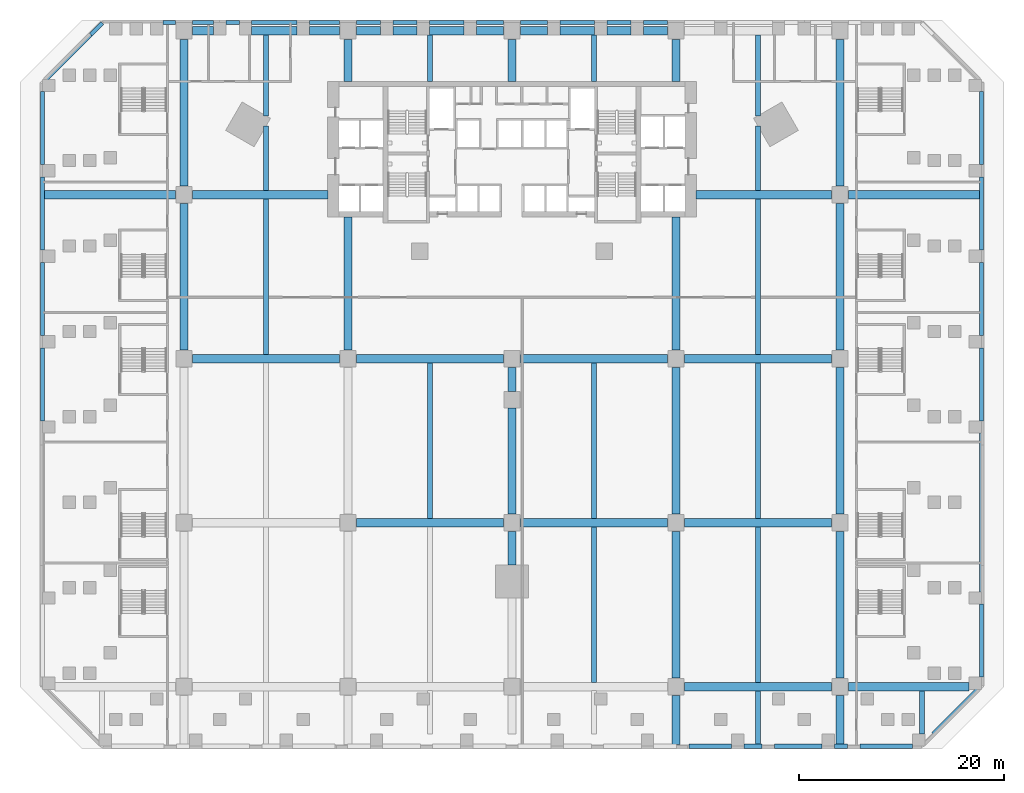
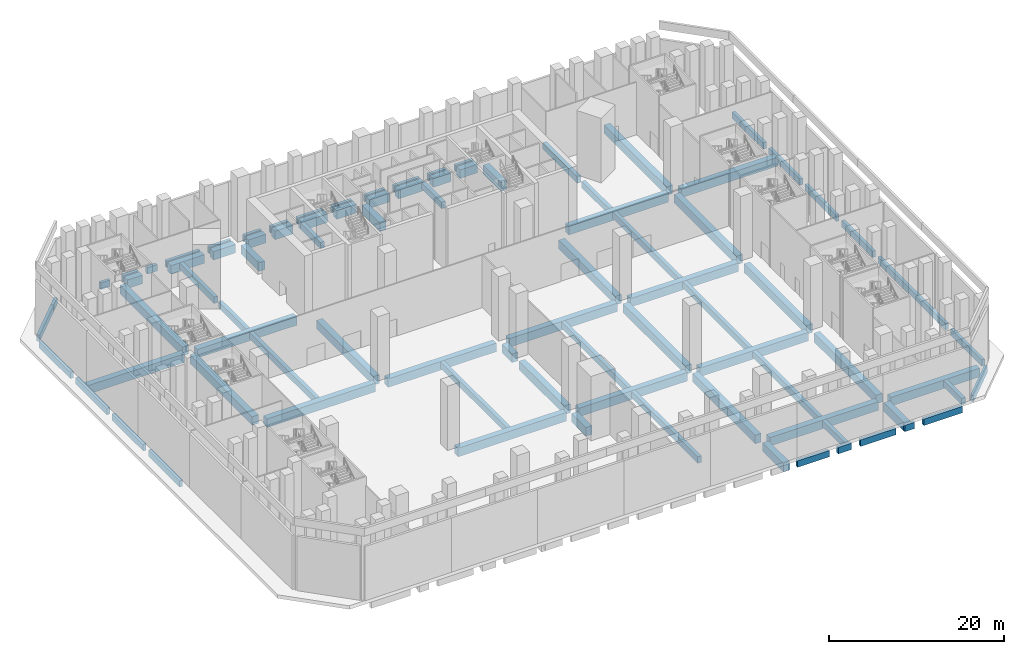
# One storey, part 2 of 25: 88 beams.
"""IFC4 building model written with IfcOpenShell, lengths in metres."""

from ifc_helpers import new_model, si_unit, direction, frame, origin, origin_2d, place, context, subcontext, project, spatial, rectangle, extrude, material, material_profile, profile_set, type_object, element, save


model = new_model("IFC4")

# Units and contexts
model_context = context("Model", 3, precision=1e-05, world=origin(), true_north=direction((0.0, 1.0)))
body_context = subcontext(model_context, "Body", "Model", "MODEL_VIEW")
ifc_project = project(units=[si_unit("LENGTHUNIT", "METRE"), si_unit("AREAUNIT", "SQUARE_METRE"), si_unit("VOLUMEUNIT", "CUBIC_METRE"), si_unit("PLANEANGLEUNIT", "RADIAN"), si_unit("MASSUNIT", "GRAM", prefix="KILO")], contexts=[model_context])

# Site, building, storey
site_placement = place(None, origin())
site = spatial("IfcSite", under=ifc_project, at=site_placement, CompositionType="ELEMENT")
building_placement = place(site_placement, origin())
building = spatial("IfcBuilding", under=site, at=building_placement, Name="Calabash Gate Tower", CompositionType="ELEMENT")
storey_placement = place(building_placement, frame((0.0, 0.0, 20.0)))
storey = spatial("IfcBuildingStorey", under=building, at=storey_placement, Name="L02", CompositionType="ELEMENT", Elevation=20.0)

# Beams
ifc_material_1 = material(Name="Concrete C50/60", Category="concrete")
ifc_material_profile_1 = material_profile(ifc_material_1, rectangle(XDim=0.39990234375, YDim=0.89990234375, at=origin_2d()))
ifc_profile_set_1 = profile_set([ifc_material_profile_1], Name="Concrete C50/60")
beam_type_1 = type_object("IfcBeamType", Name="Edge beam RC 400x900 Concrete C50/60", PredefinedType="BEAM", material=ifc_profile_set_1)
for number, where, z_axis, x_axis, name in (
    (1, (-45.800048828125, -14.06689453125, -0.949951171875), (0.0, 1.0, 0.0), (-1.0, 0.0, 0.0), "Edge beam L02 4"),
    (2, (-45.800048828125, -5.73291015625, -0.949951171875), (0.0, 1.0, 0.0), (-1.0, 0.0, 0.0), "Edge beam L02 5"),
):
    element("IfcBeam", number, at=place(storey_placement, frame(where, z_axis=z_axis, x_axis=x_axis)), inside=storey, type_object=beam_type_1, Name=name, PredefinedType="BEAM", context=body_context, shape_type="SweptSolid", body=[
        extrude(rectangle(XDim=0.39990234375, YDim=0.89990234375, at=origin_2d()), origin(), (0.0, 0.0, 1.0), 7.1337890625),
    ])
beam_1_placement = place(storey_placement, frame((-45.800048828125, 2.60107421875, -0.949951171875), z_axis=(0.0, 1.0, 0.0), x_axis=(-1.0, 0.0, 0.0)))
element("IfcBeam", 3, at=beam_1_placement, inside=storey, type_object=beam_type_1, Name="Edge beam L02 6", PredefinedType="BEAM", context=body_context, shape_type="SweptSolid", body=[
    extrude(rectangle(XDim=0.39990234375, YDim=0.89990234375, at=origin_2d()), origin(), (0.0, 0.0, 1.0), 7.135986328125),
])
beam_2_placement = place(storey_placement, frame((-45.800048828125, 10.93701171875, -0.949951171875), z_axis=(0.0, 1.0, 0.0), x_axis=(-1.0, 0.0, 0.0)))
element("IfcBeam", 4, at=beam_2_placement, inside=storey, type_object=beam_type_1, Name="Edge beam L02 7", PredefinedType="BEAM", context=body_context, shape_type="SweptSolid", body=[
    extrude(rectangle(XDim=0.39990234375, YDim=0.89990234375, at=origin_2d()), origin(), (0.0, 0.0, 1.0), 7.132080078125),
])
beam_3_placement = place(storey_placement, frame((-45.464111328125, 19.2529296875, -0.949951171875), z_axis=(0.707185774291, 0.707027779257, 0.0), x_axis=(-0.707027779257, 0.707185774291, 0.0)))
element("IfcBeam", 5, at=beam_3_placement, inside=storey, type_object=beam_type_1, Name="Edge beam L02 8", PredefinedType="BEAM", context=body_context, shape_type="SweptSolid", body=[
    extrude(rectangle(XDim=0.39990234375, YDim=0.89990234375, at=origin_2d()), origin(), (0.0, 0.0, 1.0), 6.180908203125),
])
beam_4_placement = place(storey_placement, frame((-41.091064453125, 23.6259765625, -0.949951171875), z_axis=(0.707106781187, 0.707106781187, 0.0), x_axis=(-0.707106781187, 0.707106781187, 0.0)))
element("IfcBeam", 6, at=beam_4_placement, inside=storey, type_object=beam_type_1, Name="Edge beam L02 9", PredefinedType="BEAM", context=body_context, shape_type="SweptSolid", body=[
    extrude(rectangle(XDim=0.39990234375, YDim=0.89990234375, at=origin_2d()), origin(), (0.0, 0.0, 1.0), 1.575439453125),
])
beam_5_placement = place(storey_placement, frame((-34.069091796875, 24.800048828125, -0.949951171875), z_axis=(1.0, 0.0, 0.0), x_axis=(0.0, 1.0, 0.0)))
element("IfcBeam", 7, at=beam_5_placement, inside=storey, type_object=beam_type_1, Name="Edge beam L02 10", PredefinedType="BEAM", context=body_context, shape_type="SweptSolid", body=[
    extrude(rectangle(XDim=0.39990234375, YDim=0.89990234375, at=origin_2d()), origin(), (0.0, 0.0, 1.0), 1.218994140625),
])
beam_6_placement = place(storey_placement, frame((-31.14990234375, 24.800048828125, -0.949951171875), z_axis=(1.0, 0.0, 0.0), x_axis=(0.0, 1.0, 0.0)))
element("IfcBeam", 8, at=beam_6_placement, inside=storey, type_object=beam_type_1, Name="Edge beam L02 11", PredefinedType="BEAM", context=body_context, shape_type="SweptSolid", body=[
    extrude(rectangle(XDim=0.39990234375, YDim=0.89990234375, at=origin_2d()), origin(), (0.0, 0.0, 1.0), 2.02978515625),
])
beam_7_placement = place(storey_placement, frame((-27.919921875, 24.800048828125, -0.949951171875), z_axis=(1.0, 0.0, 0.0), x_axis=(0.0, 1.0, 0.0)))
element("IfcBeam", 9, at=beam_7_placement, inside=storey, type_object=beam_type_1, Name="Edge beam L02 12", PredefinedType="BEAM", context=body_context, shape_type="SweptSolid", body=[
    extrude(rectangle(XDim=0.39990234375, YDim=0.89990234375, at=origin_2d()), origin(), (0.0, 0.0, 1.0), 1.31787109375),
])
beam_8_placement = place(storey_placement, frame((-25.40087890625, 24.800048828125, -0.949951171875), z_axis=(1.0, 0.0, 0.0), x_axis=(0.0, 1.0, 0.0)))
element("IfcBeam", 10, at=beam_8_placement, inside=storey, type_object=beam_type_1, Name="Edge beam L02 13", PredefinedType="BEAM", context=body_context, shape_type="SweptSolid", body=[
    extrude(rectangle(XDim=0.39990234375, YDim=0.89990234375, at=origin_2d()), origin(), (0.0, 0.0, 1.0), 4.428955078125),
])
beam_9_placement = place(storey_placement, frame((-19.77099609375, 24.800048828125, -0.949951171875), z_axis=(1.0, 0.0, 0.0), x_axis=(0.0, 1.0, 0.0)))
element("IfcBeam", 11, at=beam_9_placement, inside=storey, type_object=beam_type_1, Name="Edge beam L02 14", PredefinedType="BEAM", context=body_context, shape_type="SweptSolid", body=[
    extrude(rectangle(XDim=0.39990234375, YDim=0.89990234375, at=origin_2d()), origin(), (0.0, 0.0, 1.0), 2.9208984375),
])
beam_10_placement = place(storey_placement, frame((-15.14990234375, 24.800048828125, -0.949951171875), z_axis=(1.0, 0.0, 0.0), x_axis=(0.0, 1.0, 0.0)))
element("IfcBeam", 12, at=beam_10_placement, inside=storey, type_object=beam_type_1, Name="Edge beam L02 15", PredefinedType="BEAM", context=body_context, shape_type="SweptSolid", body=[
    extrude(rectangle(XDim=0.39990234375, YDim=0.89990234375, at=origin_2d()), origin(), (0.0, 0.0, 1.0), 2.326904296875),
])
beam_11_placement = place(storey_placement, frame((-11.623046875, 24.800048828125, -0.949951171875), z_axis=(1.0, 0.0, 0.0), x_axis=(0.0, 1.0, 0.0)))
element("IfcBeam", 13, at=beam_11_placement, inside=storey, type_object=beam_type_1, Name="Edge beam L02 16", PredefinedType="BEAM", context=body_context, shape_type="SweptSolid", body=[
    extrude(rectangle(XDim=0.39990234375, YDim=0.89990234375, at=origin_2d()), origin(), (0.0, 0.0, 1.0), 2.35595703125),
])
beam_12_placement = place(storey_placement, frame((-8.06689453125, 24.800048828125, -0.949951171875), z_axis=(1.0, 0.0, 0.0), x_axis=(0.0, 1.0, 0.0)))
element("IfcBeam", 14, at=beam_12_placement, inside=storey, type_object=beam_type_1, Name="Edge beam L02 17", PredefinedType="BEAM", context=body_context, shape_type="SweptSolid", body=[
    extrude(rectangle(XDim=0.39990234375, YDim=0.89990234375, at=origin_2d()), origin(), (0.0, 0.0, 1.0), 3.392822265625),
])
for number, where, z_axis, x_axis, name in (
    (15, (-3.47412109375, 24.800048828125, -0.949951171875), (1.0, 0.0, 0.0), (0.0, 1.0, 0.0), "Edge beam L02 18"),
    (16, (0.85009765625, 24.800048828125, -0.949951171875), (1.0, 0.0, 0.0), (0.0, 1.0, 0.0), "Edge beam L02 19"),
):
    element("IfcBeam", number, at=place(storey_placement, frame(where, z_axis=z_axis, x_axis=x_axis)), inside=storey, type_object=beam_type_1, Name=name, PredefinedType="BEAM", context=body_context, shape_type="SweptSolid", body=[
        extrude(rectangle(XDim=0.39990234375, YDim=0.89990234375, at=origin_2d()), origin(), (0.0, 0.0, 1.0), 2.6240234375),
    ])
beam_13_placement = place(storey_placement, frame((4.674072265625, 24.800048828125, -0.949951171875), z_axis=(1.0, 0.0, 0.0), x_axis=(0.0, 1.0, 0.0)))
element("IfcBeam", 17, at=beam_13_placement, inside=storey, type_object=beam_type_1, Name="Edge beam L02 20", PredefinedType="BEAM", context=body_context, shape_type="SweptSolid", body=[
    extrude(rectangle(XDim=0.39990234375, YDim=0.89990234375, at=origin_2d()), origin(), (0.0, 0.0, 1.0), 3.392822265625),
])
beam_14_placement = place(storey_placement, frame((9.26708984375, 24.800048828125, -0.949951171875), z_axis=(1.0, 0.0, 0.0), x_axis=(0.0, 1.0, 0.0)))
element("IfcBeam", 18, at=beam_14_placement, inside=storey, type_object=beam_type_1, Name="Edge beam L02 21", PredefinedType="BEAM", context=body_context, shape_type="SweptSolid", body=[
    extrude(rectangle(XDim=0.39990234375, YDim=0.89990234375, at=origin_2d()), origin(), (0.0, 0.0, 1.0), 2.35595703125),
])
beam_15_placement = place(storey_placement, frame((12.822998046875, 24.800048828125, -0.949951171875), z_axis=(1.0, 0.0, 0.0), x_axis=(0.0, 1.0, 0.0)))
element("IfcBeam", 19, at=beam_15_placement, inside=storey, type_object=beam_type_1, Name="Edge beam L02 22", PredefinedType="BEAM", context=body_context, shape_type="SweptSolid", body=[
    extrude(rectangle(XDim=0.39990234375, YDim=0.89990234375, at=origin_2d()), origin(), (0.0, 0.0, 1.0), 2.326904296875),
])
beam_16_placement = place(storey_placement, frame((45.800048828125, 18.069091796875, -0.949951171875), z_axis=(0.0, -1.0, 0.0), x_axis=(1.0, 0.0, 0.0)))
element("IfcBeam", 20, at=beam_16_placement, inside=storey, type_object=beam_type_1, Name="Edge beam L02 30", PredefinedType="BEAM", context=body_context, shape_type="SweptSolid", body=[
    extrude(rectangle(XDim=0.39990234375, YDim=0.89990234375, at=origin_2d()), origin(), (0.0, 0.0, 1.0), 7.132080078125),
])
beam_17_placement = place(storey_placement, frame((45.800048828125, 9.737060546875, -0.949951171875), z_axis=(0.0, -1.0, 0.0), x_axis=(1.0, 0.0, 0.0)))
element("IfcBeam", 21, at=beam_17_placement, inside=storey, type_object=beam_type_1, Name="Edge beam L02 31", PredefinedType="BEAM", context=body_context, shape_type="SweptSolid", body=[
    extrude(rectangle(XDim=0.39990234375, YDim=0.89990234375, at=origin_2d()), origin(), (0.0, 0.0, 1.0), 7.135986328125),
])
for number, where, z_axis, x_axis, name in (
    (22, (45.800048828125, 1.40087890625, -0.949951171875), (0.0, -1.0, 0.0), (1.0, 0.0, 0.0), "Edge beam L02 32"),
    (23, (45.800048828125, -6.93310546875, -0.949951171875), (0.0, -1.0, 0.0), (1.0, 0.0, 0.0), "Edge beam L02 33"),
):
    element("IfcBeam", number, at=place(storey_placement, frame(where, z_axis=z_axis, x_axis=x_axis)), inside=storey, type_object=beam_type_1, Name=name, PredefinedType="BEAM", context=body_context, shape_type="SweptSolid", body=[
        extrude(rectangle(XDim=0.39990234375, YDim=0.89990234375, at=origin_2d()), origin(), (0.0, 0.0, 1.0), 7.1337890625),
    ])
beam_18_placement = place(storey_placement, frame((45.800048828125, -15.26708984375, -0.949951171875), z_axis=(0.0, -1.0, 0.0), x_axis=(1.0, 0.0, 0.0)))
element("IfcBeam", 24, at=beam_18_placement, inside=storey, type_object=beam_type_1, Name="Edge beam L02 34", PredefinedType="BEAM", context=body_context, shape_type="SweptSolid", body=[
    extrude(rectangle(XDim=0.39990234375, YDim=0.89990234375, at=origin_2d()), origin(), (0.0, 0.0, 1.0), 15.4658203125),
])
beam_19_placement = place(storey_placement, frame((45.800048828125, -31.93310546875, -0.949951171875), z_axis=(0.0, -1.0, 0.0), x_axis=(1.0, 0.0, 0.0)))
element("IfcBeam", 25, at=beam_19_placement, inside=storey, type_object=beam_type_1, Name="Edge beam L02 35", PredefinedType="BEAM", context=body_context, shape_type="SweptSolid", body=[
    extrude(rectangle(XDim=0.39990234375, YDim=0.89990234375, at=origin_2d()), origin(), (0.0, 0.0, 1.0), 7.135986328125),
])
beam_20_placement = place(storey_placement, frame((45.470947265625, -40.24609375, -0.949951171875), z_axis=(-0.706870013491, -0.707343469629, 0.0), x_axis=(0.707343469629, -0.706870013491, 0.0)))
element("IfcBeam", 26, at=beam_20_placement, inside=storey, type_object=beam_type_1, Name="Edge beam L02 36", PredefinedType="BEAM", context=body_context, shape_type="SweptSolid", body=[
    extrude(rectangle(XDim=0.39990234375, YDim=0.89990234375, at=origin_2d()), origin(), (0.0, 0.0, 1.0), 6.18798828125),
])
beam_21_placement = place(storey_placement, frame((39.069091796875, -45.800048828125, -0.949951171875), z_axis=(-1.0, 0.0, 0.0), x_axis=(0.0, -1.0, 0.0)))
element("IfcBeam", 27, at=beam_21_placement, inside=storey, type_object=beam_type_1, Name="Edge beam L02 37", PredefinedType="BEAM", context=body_context, shape_type="SweptSolid", body=[
    extrude(rectangle(XDim=0.39990234375, YDim=0.89990234375, at=origin_2d()), origin(), (0.0, 0.0, 1.0), 5.132080078125),
])
beam_22_placement = place(storey_placement, frame((32.737060546875, -45.800048828125, -0.949951171875), z_axis=(-1.0, 0.0, 0.0), x_axis=(0.0, -1.0, 0.0)))
element("IfcBeam", 28, at=beam_22_placement, inside=storey, type_object=beam_type_1, Name="Edge beam L02 38", PredefinedType="BEAM", context=body_context, shape_type="SweptSolid", body=[
    extrude(rectangle(XDim=0.39990234375, YDim=0.89990234375, at=origin_2d()), origin(), (0.0, 0.0, 1.0), 1.2841796875),
])
beam_23_placement = place(storey_placement, frame((30.2529296875, -45.800048828125, -0.949951171875), z_axis=(-1.0, 0.0, 0.0), x_axis=(0.0, -1.0, 0.0)))
element("IfcBeam", 29, at=beam_23_placement, inside=storey, type_object=beam_type_1, Name="Edge beam L02 39", PredefinedType="BEAM", context=body_context, shape_type="SweptSolid", body=[
    extrude(rectangle(XDim=0.39990234375, YDim=0.89990234375, at=origin_2d()), origin(), (0.0, 0.0, 1.0), 4.65185546875),
])
beam_24_placement = place(storey_placement, frame((24.40087890625, -45.800048828125, -0.949951171875), z_axis=(-1.0, 0.0, 0.0), x_axis=(0.0, -1.0, 0.0)))
element("IfcBeam", 30, at=beam_24_placement, inside=storey, type_object=beam_type_1, Name="Edge beam L02 40", PredefinedType="BEAM", context=body_context, shape_type="SweptSolid", body=[
    extrude(rectangle(XDim=0.39990234375, YDim=0.89990234375, at=origin_2d()), origin(), (0.0, 0.0, 1.0), 1.762939453125),
])
beam_25_placement = place(storey_placement, frame((21.43798828125, -45.800048828125, -0.949951171875), z_axis=(-1.0, 0.0, 0.0), x_axis=(0.0, -1.0, 0.0)))
element("IfcBeam", 31, at=beam_25_placement, inside=storey, type_object=beam_type_1, Name="Edge beam L02 41", PredefinedType="BEAM", context=body_context, shape_type="SweptSolid", body=[
    extrude(rectangle(XDim=0.39990234375, YDim=0.89990234375, at=origin_2d()), origin(), (0.0, 0.0, 1.0), 4.169921875),
])
ifc_material_2 = material(Name="Concrete C50/60", Category="concrete")
ifc_material_profile_2 = material_profile(ifc_material_2, rectangle(XDim=0.5, YDim=0.89990234375, at=origin_2d()))
ifc_profile_set_2 = profile_set([ifc_material_profile_2], Name="Concrete C50/60")
beam_type_2 = type_object("IfcBeamType", Name="Floor beam RC 500x900 Concrete C50/60", PredefinedType="BEAM", material=ifc_profile_set_2)
beam_26_placement = place(storey_placement, frame((-24.0, -7.60009765625, -0.949951171875), z_axis=(0.0, 1.0, 0.0), x_axis=(-1.0, 0.0, 0.0)))
element("IfcBeam", 32, at=beam_26_placement, inside=storey, type_object=beam_type_2, Name="Floor beam L02 5", PredefinedType="BEAM", context=body_context, shape_type="SweptSolid", body=[
    extrude(rectangle(XDim=0.5, YDim=0.89990234375, at=origin_2d()), origin(), (0.0, 0.0, 1.0), 15.2001953125),
])
beam_27_placement = place(storey_placement, frame((-24.0, 8.39990234375, -0.949951171875), z_axis=(0.0, 1.0, 0.0), x_axis=(-1.0, 0.0, 0.0)))
element("IfcBeam", 33, at=beam_27_placement, inside=storey, type_object=beam_type_2, Name="Floor beam L02 6", PredefinedType="BEAM", context=body_context, shape_type="SweptSolid", body=[
    extrude(rectangle(XDim=0.5, YDim=0.89990234375, at=origin_2d()), origin(), (0.0, 0.0, 1.0), 6.319091796875),
])
beam_28_placement = place(storey_placement, frame((-24.0, 15.681884765625, -0.949951171875), z_axis=(0.0, 1.0, 0.0), x_axis=(-1.0, 0.0, 0.0)))
element("IfcBeam", 34, at=beam_28_placement, inside=storey, type_object=beam_type_2, Name="Floor beam L02 7", PredefinedType="BEAM", context=body_context, shape_type="SweptSolid", body=[
    extrude(rectangle(XDim=0.5, YDim=0.89990234375, at=origin_2d()), origin(), (0.0, 0.0, 1.0), 7.918212890625),
])
beam_29_placement = place(storey_placement, frame((-8.0, -23.60009765625, -0.949951171875), z_axis=(0.0, 1.0, 0.0), x_axis=(-1.0, 0.0, 0.0)))
element("IfcBeam", 35, at=beam_29_placement, inside=storey, type_object=beam_type_2, Name="Floor beam L02 10", PredefinedType="BEAM", context=body_context, shape_type="SweptSolid", body=[
    extrude(rectangle(XDim=0.5, YDim=0.89990234375, at=origin_2d()), origin(), (0.0, 0.0, 1.0), 15.2001953125),
])
beam_30_placement = place(storey_placement, frame((-8.0, 19.052978515625, -0.949951171875), z_axis=(0.0, 1.0, 0.0), x_axis=(-1.0, 0.0, 0.0)))
element("IfcBeam", 36, at=beam_30_placement, inside=storey, type_object=beam_type_2, Name="Floor beam L02 11", PredefinedType="BEAM", context=body_context, shape_type="SweptSolid", body=[
    extrude(rectangle(XDim=0.5, YDim=0.89990234375, at=origin_2d()), origin(), (0.0, 0.0, 1.0), 4.547119140625),
])
for number, where, z_axis, x_axis, name in (
    (37, (8.0, -39.60009765625, -0.949951171875), (0.0, 1.0, 0.0), (-1.0, 0.0, 0.0), "Floor beam L02 13"),
    (38, (8.0, -23.60009765625, -0.949951171875), (0.0, 1.0, 0.0), (-1.0, 0.0, 0.0), "Floor beam L02 14"),
):
    element("IfcBeam", number, at=place(storey_placement, frame(where, z_axis=z_axis, x_axis=x_axis)), inside=storey, type_object=beam_type_2, Name=name, PredefinedType="BEAM", context=body_context, shape_type="SweptSolid", body=[
        extrude(rectangle(XDim=0.5, YDim=0.89990234375, at=origin_2d()), origin(), (0.0, 0.0, 1.0), 15.2001953125),
    ])
beam_31_placement = place(storey_placement, frame((8.0, 19.052978515625, -0.949951171875), z_axis=(0.0, 1.0, 0.0), x_axis=(-1.0, 0.0, 0.0)))
element("IfcBeam", 39, at=beam_31_placement, inside=storey, type_object=beam_type_2, Name="Floor beam L02 15", PredefinedType="BEAM", context=body_context, shape_type="SweptSolid", body=[
    extrude(rectangle(XDim=0.5, YDim=0.89990234375, at=origin_2d()), origin(), (0.0, 0.0, 1.0), 4.547119140625),
])
beam_32_placement = place(storey_placement, frame((24.0, -45.60009765625, -0.949951171875), z_axis=(0.0, 1.0, 0.0), x_axis=(-1.0, 0.0, 0.0)))
element("IfcBeam", 40, at=beam_32_placement, inside=storey, type_object=beam_type_2, Name="Floor beam L02 16", PredefinedType="BEAM", context=body_context, shape_type="SweptSolid", body=[
    extrude(rectangle(XDim=0.5, YDim=0.89990234375, at=origin_2d()), origin(), (0.0, 0.0, 1.0), 5.2001953125),
])
for number, where, z_axis, x_axis, name in (
    (41, (24.0, -39.60009765625, -0.949951171875), (0.0, 1.0, 0.0), (-1.0, 0.0, 0.0), "Floor beam L02 17"),
    (42, (24.0, -23.60009765625, -0.949951171875), (0.0, 1.0, 0.0), (-1.0, 0.0, 0.0), "Floor beam L02 18"),
    (43, (24.0, -7.60009765625, -0.949951171875), (0.0, 1.0, 0.0), (-1.0, 0.0, 0.0), "Floor beam L02 19"),
):
    element("IfcBeam", number, at=place(storey_placement, frame(where, z_axis=z_axis, x_axis=x_axis)), inside=storey, type_object=beam_type_2, Name=name, PredefinedType="BEAM", context=body_context, shape_type="SweptSolid", body=[
        extrude(rectangle(XDim=0.5, YDim=0.89990234375, at=origin_2d()), origin(), (0.0, 0.0, 1.0), 15.2001953125),
    ])
beam_33_placement = place(storey_placement, frame((24.0, 8.39990234375, -0.949951171875), z_axis=(0.0, 1.0, 0.0), x_axis=(-1.0, 0.0, 0.0)))
element("IfcBeam", 44, at=beam_33_placement, inside=storey, type_object=beam_type_2, Name="Floor beam L02 20", PredefinedType="BEAM", context=body_context, shape_type="SweptSolid", body=[
    extrude(rectangle(XDim=0.5, YDim=0.89990234375, at=origin_2d()), origin(), (0.0, 0.0, 1.0), 6.319091796875),
])
beam_34_placement = place(storey_placement, frame((24.0, 15.681884765625, -0.949951171875), z_axis=(0.0, 1.0, 0.0), x_axis=(-1.0, 0.0, 0.0)))
element("IfcBeam", 45, at=beam_34_placement, inside=storey, type_object=beam_type_2, Name="Floor beam L02 21", PredefinedType="BEAM", context=body_context, shape_type="SweptSolid", body=[
    extrude(rectangle(XDim=0.5, YDim=0.89990234375, at=origin_2d()), origin(), (0.0, 0.0, 1.0), 7.918212890625),
])
beam_35_placement = place(storey_placement, frame((40.0, -44.60009765625, -0.949951171875), z_axis=(0.0, 1.0, 0.0), x_axis=(-1.0, 0.0, 0.0)))
element("IfcBeam", 46, at=beam_35_placement, inside=storey, type_object=beam_type_2, Name="Floor beam L02 22", PredefinedType="BEAM", context=body_context, shape_type="SweptSolid", body=[
    extrude(rectangle(XDim=0.5, YDim=0.89990234375, at=origin_2d()), origin(), (0.0, 0.0, 1.0), 4.2001953125),
])
ifc_material_3 = material(Name="Concrete C50/60", Category="concrete")
ifc_material_profile_3 = material_profile(ifc_material_3, rectangle(XDim=0.800048828125, YDim=1.199951171875, at=origin_2d()))
ifc_profile_set_3 = profile_set([ifc_material_profile_3], Name="Concrete C50/60")
beam_type_3 = type_object("IfcBeamType", Name="Grid girder RC 800x1200 Concrete C50/60", PredefinedType="BEAM", material=ifc_profile_set_3)
for number, where, z_axis, x_axis, name in (
    (47, (-32.0, -7.14990234375, -1.10009765625), (0.0, 1.0, 0.0), (-1.0, 0.0, 0.0), "Grid girder L02 4"),
    (48, (-32.0, 8.85009765625, -1.10009765625), (0.0, 1.0, 0.0), (-1.0, 0.0, 0.0), "Grid girder L02 5"),
):
    element("IfcBeam", number, at=place(storey_placement, frame(where, z_axis=z_axis, x_axis=x_axis)), inside=storey, type_object=beam_type_3, Name=name, PredefinedType="BEAM", context=body_context, shape_type="SweptSolid", body=[
        extrude(rectangle(XDim=0.800048828125, YDim=1.199951171875, at=origin_2d()), origin(), (0.0, 0.0, 1.0), 14.2998046875),
    ])
beam_36_placement = place(storey_placement, frame((-16.0, -7.14990234375, -1.10009765625), z_axis=(0.0, 1.0, 0.0), x_axis=(-1.0, 0.0, 0.0)))
element("IfcBeam", 49, at=beam_36_placement, inside=storey, type_object=beam_type_3, Name="Grid girder L02 9", PredefinedType="BEAM", context=body_context, shape_type="SweptSolid", body=[
    extrude(rectangle(XDim=0.800048828125, YDim=1.199951171875, at=origin_2d()), origin(), (0.0, 0.0, 1.0), 13.0029296875),
])
beam_37_placement = place(storey_placement, frame((-16.0, 19.052978515625, -1.10009765625), z_axis=(0.0, 1.0, 0.0), x_axis=(-1.0, 0.0, 0.0)))
element("IfcBeam", 50, at=beam_37_placement, inside=storey, type_object=beam_type_3, Name="Grid girder L02 10", PredefinedType="BEAM", context=body_context, shape_type="SweptSolid", body=[
    extrude(rectangle(XDim=0.800048828125, YDim=1.199951171875, at=origin_2d()), origin(), (0.0, 0.0, 1.0), 4.096923828125),
])
beam_38_placement = place(storey_placement, frame((0.0, -28.133056640625, -1.10009765625), z_axis=(0.0, 1.0, 0.0), x_axis=(-1.0, 0.0, 0.0)))
element("IfcBeam", 51, at=beam_38_placement, inside=storey, type_object=beam_type_3, Name="Grid girder L02 13", PredefinedType="BEAM", context=body_context, shape_type="SweptSolid", body=[
    extrude(rectangle(XDim=0.800048828125, YDim=1.199951171875, at=origin_2d()), origin(), (0.0, 0.0, 1.0), 3.282958984375),
])
beam_39_placement = place(storey_placement, frame((0.0, -23.14990234375, -1.10009765625), z_axis=(0.0, 1.0, 0.0), x_axis=(-1.0, 0.0, 0.0)))
element("IfcBeam", 52, at=beam_39_placement, inside=storey, type_object=beam_type_3, Name="Grid girder L02 14", PredefinedType="BEAM", context=body_context, shape_type="SweptSolid", body=[
    extrude(rectangle(XDim=0.800048828125, YDim=1.199951171875, at=origin_2d()), origin(), (0.0, 0.0, 1.0), 10.349853515625),
])
beam_40_placement = place(storey_placement, frame((0.0, -11.199951171875, -1.10009765625), z_axis=(0.0, 1.0, 0.0), x_axis=(-1.0, 0.0, 0.0)))
element("IfcBeam", 53, at=beam_40_placement, inside=storey, type_object=beam_type_3, Name="Grid girder L02 15", PredefinedType="BEAM", context=body_context, shape_type="SweptSolid", body=[
    extrude(rectangle(XDim=0.800048828125, YDim=1.199951171875, at=origin_2d()), origin(), (0.0, 0.0, 1.0), 2.349853515625),
])
beam_41_placement = place(storey_placement, frame((0.0, 19.052978515625, -1.10009765625), z_axis=(0.0, 1.0, 0.0), x_axis=(-1.0, 0.0, 0.0)))
element("IfcBeam", 54, at=beam_41_placement, inside=storey, type_object=beam_type_3, Name="Grid girder L02 16", PredefinedType="BEAM", context=body_context, shape_type="SweptSolid", body=[
    extrude(rectangle(XDim=0.800048828125, YDim=1.199951171875, at=origin_2d()), origin(), (0.0, 0.0, 1.0), 4.096923828125),
])
beam_42_placement = place(storey_placement, frame((16.0, -45.632080078125, -1.10009765625), z_axis=(0.0, 1.0, 0.0), x_axis=(-1.0, 0.0, 0.0)))
element("IfcBeam", 55, at=beam_42_placement, inside=storey, type_object=beam_type_3, Name="Grid girder L02 17", PredefinedType="BEAM", context=body_context, shape_type="SweptSolid", body=[
    extrude(rectangle(XDim=0.800048828125, YDim=1.199951171875, at=origin_2d()), origin(), (0.0, 0.0, 1.0), 4.781982421875),
])
for number, where, z_axis, x_axis, name in (
    (56, (16.0, -39.14990234375, -1.10009765625), (0.0, 1.0, 0.0), (-1.0, 0.0, 0.0), "Grid girder L02 18"),
    (57, (16.0, -23.14990234375, -1.10009765625), (0.0, 1.0, 0.0), (-1.0, 0.0, 0.0), "Grid girder L02 19"),
):
    element("IfcBeam", number, at=place(storey_placement, frame(where, z_axis=z_axis, x_axis=x_axis)), inside=storey, type_object=beam_type_3, Name=name, PredefinedType="BEAM", context=body_context, shape_type="SweptSolid", body=[
        extrude(rectangle(XDim=0.800048828125, YDim=1.199951171875, at=origin_2d()), origin(), (0.0, 0.0, 1.0), 14.2998046875),
    ])
beam_43_placement = place(storey_placement, frame((16.0, -7.14990234375, -1.10009765625), z_axis=(0.0, 1.0, 0.0), x_axis=(-1.0, 0.0, 0.0)))
element("IfcBeam", 58, at=beam_43_placement, inside=storey, type_object=beam_type_3, Name="Grid girder L02 20", PredefinedType="BEAM", context=body_context, shape_type="SweptSolid", body=[
    extrude(rectangle(XDim=0.800048828125, YDim=1.199951171875, at=origin_2d()), origin(), (0.0, 0.0, 1.0), 13.0029296875),
])
beam_44_placement = place(storey_placement, frame((16.0, 19.052978515625, -1.10009765625), z_axis=(0.0, 1.0, 0.0), x_axis=(-1.0, 0.0, 0.0)))
element("IfcBeam", 59, at=beam_44_placement, inside=storey, type_object=beam_type_3, Name="Grid girder L02 21", PredefinedType="BEAM", context=body_context, shape_type="SweptSolid", body=[
    extrude(rectangle(XDim=0.800048828125, YDim=1.199951171875, at=origin_2d()), origin(), (0.0, 0.0, 1.0), 4.096923828125),
])
beam_45_placement = place(storey_placement, frame((32.0, -45.60009765625, -1.10009765625), z_axis=(0.0, 1.0, 0.0), x_axis=(-1.0, 0.0, 0.0)))
element("IfcBeam", 60, at=beam_45_placement, inside=storey, type_object=beam_type_3, Name="Grid girder L02 22", PredefinedType="BEAM", context=body_context, shape_type="SweptSolid", body=[
    extrude(rectangle(XDim=0.800048828125, YDim=1.199951171875, at=origin_2d()), origin(), (0.0, 0.0, 1.0), 4.75),
])
for number, where, z_axis, x_axis, name in (
    (61, (32.0, -39.14990234375, -1.10009765625), (0.0, 1.0, 0.0), (-1.0, 0.0, 0.0), "Grid girder L02 23"),
    (62, (32.0, -23.14990234375, -1.10009765625), (0.0, 1.0, 0.0), (-1.0, 0.0, 0.0), "Grid girder L02 24"),
    (63, (32.0, -7.14990234375, -1.10009765625), (0.0, 1.0, 0.0), (-1.0, 0.0, 0.0), "Grid girder L02 25"),
    (64, (32.0, 8.85009765625, -1.10009765625), (0.0, 1.0, 0.0), (-1.0, 0.0, 0.0), "Grid girder L02 26"),
    (65, (16.85009765625, -40.0, -1.10009765625), (1.0, 0.0, 0.0), (0.0, 1.0, 0.0), "Grid girder L02 31"),
):
    element("IfcBeam", number, at=place(storey_placement, frame(where, z_axis=z_axis, x_axis=x_axis)), inside=storey, type_object=beam_type_3, Name=name, PredefinedType="BEAM", context=body_context, shape_type="SweptSolid", body=[
        extrude(rectangle(XDim=0.800048828125, YDim=1.199951171875, at=origin_2d()), origin(), (0.0, 0.0, 1.0), 14.2998046875),
    ])
beam_46_placement = place(storey_placement, frame((32.85009765625, -40.0, -1.10009765625), z_axis=(1.0, 0.0, 0.0), x_axis=(0.0, 1.0, 0.0)))
element("IfcBeam", 66, at=beam_46_placement, inside=storey, type_object=beam_type_3, Name="Grid girder L02 32", PredefinedType="BEAM", context=body_context, shape_type="SweptSolid", body=[
    extrude(rectangle(XDim=0.800048828125, YDim=1.199951171875, at=origin_2d()), origin(), (0.0, 0.0, 1.0), 11.75),
])
for number, where, z_axis, x_axis, name in (
    (67, (-15.14990234375, -24.0, -1.10009765625), (1.0, 0.0, 0.0), (0.0, 1.0, 0.0), "Grid girder L02 34"),
    (68, (0.85009765625, -24.0, -1.10009765625), (1.0, 0.0, 0.0), (0.0, 1.0, 0.0), "Grid girder L02 35"),
    (69, (16.85009765625, -24.0, -1.10009765625), (1.0, 0.0, 0.0), (0.0, 1.0, 0.0), "Grid girder L02 36"),
    (70, (-31.14990234375, -8.0, -1.10009765625), (1.0, 0.0, 0.0), (0.0, 1.0, 0.0), "Grid girder L02 37"),
    (71, (-15.14990234375, -8.0, -1.10009765625), (1.0, 0.0, 0.0), (0.0, 1.0, 0.0), "Grid girder L02 38"),
    (72, (0.85009765625, -8.0, -1.10009765625), (1.0, 0.0, 0.0), (0.0, 1.0, 0.0), "Grid girder L02 39"),
    (73, (16.85009765625, -8.0, -1.10009765625), (1.0, 0.0, 0.0), (0.0, 1.0, 0.0), "Grid girder L02 40"),
):
    element("IfcBeam", number, at=place(storey_placement, frame(where, z_axis=z_axis, x_axis=x_axis)), inside=storey, type_object=beam_type_3, Name=name, PredefinedType="BEAM", context=body_context, shape_type="SweptSolid", body=[
        extrude(rectangle(XDim=0.800048828125, YDim=1.199951171875, at=origin_2d()), origin(), (0.0, 0.0, 1.0), 14.2998046875),
    ])
beam_47_placement = place(storey_placement, frame((-45.60009765625, 8.0, -1.10009765625), z_axis=(1.0, 0.0, 0.0), x_axis=(0.0, 1.0, 0.0)))
element("IfcBeam", 74, at=beam_47_placement, inside=storey, type_object=beam_type_3, Name="Grid girder L02 41", PredefinedType="BEAM", context=body_context, shape_type="SweptSolid", body=[
    extrude(rectangle(XDim=0.800048828125, YDim=1.199951171875, at=origin_2d()), origin(), (0.0, 0.0, 1.0), 12.75),
])
for number, where, z_axis, x_axis, name in (
    (75, (-31.14990234375, 8.0, -1.10009765625), (1.0, 0.0, 0.0), (0.0, 1.0, 0.0), "Grid girder L02 42"),
    (76, (17.968017578125, 8.0, -1.10009765625), (1.0, 0.0, 0.0), (0.0, 1.0, 0.0), "Grid girder L02 43"),
):
    element("IfcBeam", number, at=place(storey_placement, frame(where, z_axis=z_axis, x_axis=x_axis)), inside=storey, type_object=beam_type_3, Name=name, PredefinedType="BEAM", context=body_context, shape_type="SweptSolid", body=[
        extrude(rectangle(XDim=0.800048828125, YDim=1.199951171875, at=origin_2d()), origin(), (0.0, 0.0, 1.0), 13.181884765625),
    ])
beam_48_placement = place(storey_placement, frame((32.85009765625, 8.0, -1.10009765625), z_axis=(1.0, 0.0, 0.0), x_axis=(0.0, 1.0, 0.0)))
element("IfcBeam", 77, at=beam_48_placement, inside=storey, type_object=beam_type_3, Name="Grid girder L02 44", PredefinedType="BEAM", context=body_context, shape_type="SweptSolid", body=[
    extrude(rectangle(XDim=0.800048828125, YDim=1.199951171875, at=origin_2d()), origin(), (0.0, 0.0, 1.0), 12.75),
])
beam_49_placement = place(storey_placement, frame((-31.14990234375, 24.0, -1.10009765625), z_axis=(1.0, 0.0, 0.0), x_axis=(0.0, 1.0, 0.0)))
element("IfcBeam", 78, at=beam_49_placement, inside=storey, type_object=beam_type_3, Name="Grid girder L02 45", PredefinedType="BEAM", context=body_context, shape_type="SweptSolid", body=[
    extrude(rectangle(XDim=0.800048828125, YDim=1.199951171875, at=origin_2d()), origin(), (0.0, 0.0, 1.0), 2.02978515625),
])
beam_50_placement = place(storey_placement, frame((-25.40087890625, 24.0, -1.10009765625), z_axis=(1.0, 0.0, 0.0), x_axis=(0.0, 1.0, 0.0)))
element("IfcBeam", 79, at=beam_50_placement, inside=storey, type_object=beam_type_3, Name="Grid girder L02 46", PredefinedType="BEAM", context=body_context, shape_type="SweptSolid", body=[
    extrude(rectangle(XDim=0.800048828125, YDim=1.199951171875, at=origin_2d()), origin(), (0.0, 0.0, 1.0), 4.428955078125),
])
beam_51_placement = place(storey_placement, frame((-19.77099609375, 24.0, -1.10009765625), z_axis=(1.0, 0.0, 0.0), x_axis=(0.0, 1.0, 0.0)))
element("IfcBeam", 80, at=beam_51_placement, inside=storey, type_object=beam_type_3, Name="Grid girder L02 47", PredefinedType="BEAM", context=body_context, shape_type="SweptSolid", body=[
    extrude(rectangle(XDim=0.800048828125, YDim=1.199951171875, at=origin_2d()), origin(), (0.0, 0.0, 1.0), 2.9208984375),
])
beam_52_placement = place(storey_placement, frame((-15.14990234375, 24.0, -1.10009765625), z_axis=(1.0, 0.0, 0.0), x_axis=(0.0, 1.0, 0.0)))
element("IfcBeam", 81, at=beam_52_placement, inside=storey, type_object=beam_type_3, Name="Grid girder L02 48", PredefinedType="BEAM", context=body_context, shape_type="SweptSolid", body=[
    extrude(rectangle(XDim=0.800048828125, YDim=1.199951171875, at=origin_2d()), origin(), (0.0, 0.0, 1.0), 2.326904296875),
])
beam_53_placement = place(storey_placement, frame((-11.623046875, 24.0, -1.10009765625), z_axis=(1.0, 0.0, 0.0), x_axis=(0.0, 1.0, 0.0)))
element("IfcBeam", 82, at=beam_53_placement, inside=storey, type_object=beam_type_3, Name="Grid girder L02 49", PredefinedType="BEAM", context=body_context, shape_type="SweptSolid", body=[
    extrude(rectangle(XDim=0.800048828125, YDim=1.199951171875, at=origin_2d()), origin(), (0.0, 0.0, 1.0), 2.35595703125),
])
beam_54_placement = place(storey_placement, frame((-8.06689453125, 24.0, -1.10009765625), z_axis=(1.0, 0.0, 0.0), x_axis=(0.0, 1.0, 0.0)))
element("IfcBeam", 83, at=beam_54_placement, inside=storey, type_object=beam_type_3, Name="Grid girder L02 50", PredefinedType="BEAM", context=body_context, shape_type="SweptSolid", body=[
    extrude(rectangle(XDim=0.800048828125, YDim=1.199951171875, at=origin_2d()), origin(), (0.0, 0.0, 1.0), 3.392822265625),
])
for number, where, z_axis, x_axis, name in (
    (84, (-3.47412109375, 24.0, -1.10009765625), (1.0, 0.0, 0.0), (0.0, 1.0, 0.0), "Grid girder L02 51"),
    (85, (0.85009765625, 24.0, -1.10009765625), (1.0, 0.0, 0.0), (0.0, 1.0, 0.0), "Grid girder L02 52"),
):
    element("IfcBeam", number, at=place(storey_placement, frame(where, z_axis=z_axis, x_axis=x_axis)), inside=storey, type_object=beam_type_3, Name=name, PredefinedType="BEAM", context=body_context, shape_type="SweptSolid", body=[
        extrude(rectangle(XDim=0.800048828125, YDim=1.199951171875, at=origin_2d()), origin(), (0.0, 0.0, 1.0), 2.6240234375),
    ])
beam_55_placement = place(storey_placement, frame((4.674072265625, 24.0, -1.10009765625), z_axis=(1.0, 0.0, 0.0), x_axis=(0.0, 1.0, 0.0)))
element("IfcBeam", 86, at=beam_55_placement, inside=storey, type_object=beam_type_3, Name="Grid girder L02 53", PredefinedType="BEAM", context=body_context, shape_type="SweptSolid", body=[
    extrude(rectangle(XDim=0.800048828125, YDim=1.199951171875, at=origin_2d()), origin(), (0.0, 0.0, 1.0), 3.392822265625),
])
beam_56_placement = place(storey_placement, frame((9.26708984375, 24.0, -1.10009765625), z_axis=(1.0, 0.0, 0.0), x_axis=(0.0, 1.0, 0.0)))
element("IfcBeam", 87, at=beam_56_placement, inside=storey, type_object=beam_type_3, Name="Grid girder L02 54", PredefinedType="BEAM", context=body_context, shape_type="SweptSolid", body=[
    extrude(rectangle(XDim=0.800048828125, YDim=1.199951171875, at=origin_2d()), origin(), (0.0, 0.0, 1.0), 2.35595703125),
])
beam_57_placement = place(storey_placement, frame((12.822998046875, 24.0, -1.10009765625), z_axis=(1.0, 0.0, 0.0), x_axis=(0.0, 1.0, 0.0)))
element("IfcBeam", 88, at=beam_57_placement, inside=storey, type_object=beam_type_3, Name="Grid girder L02 55", PredefinedType="BEAM", context=body_context, shape_type="SweptSolid", body=[
    extrude(rectangle(XDim=0.800048828125, YDim=1.199951171875, at=origin_2d()), origin(), (0.0, 0.0, 1.0), 2.326904296875),
])

save(model, "model.ifc")
